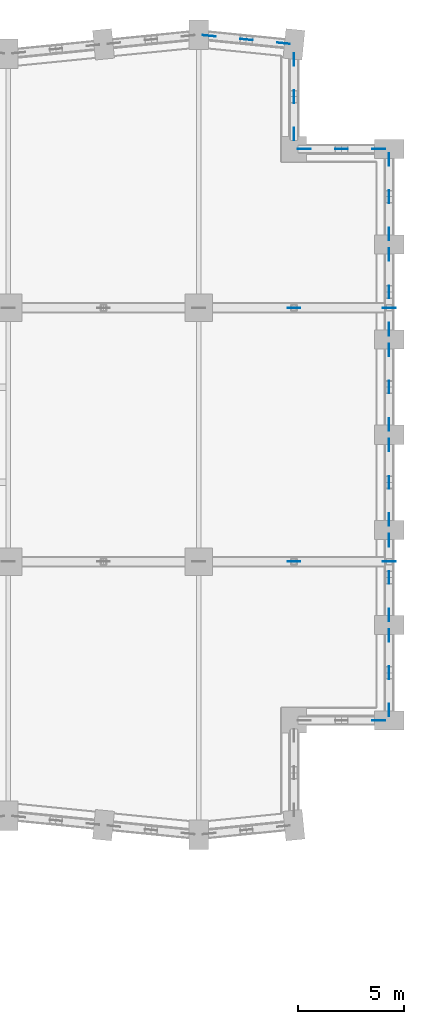
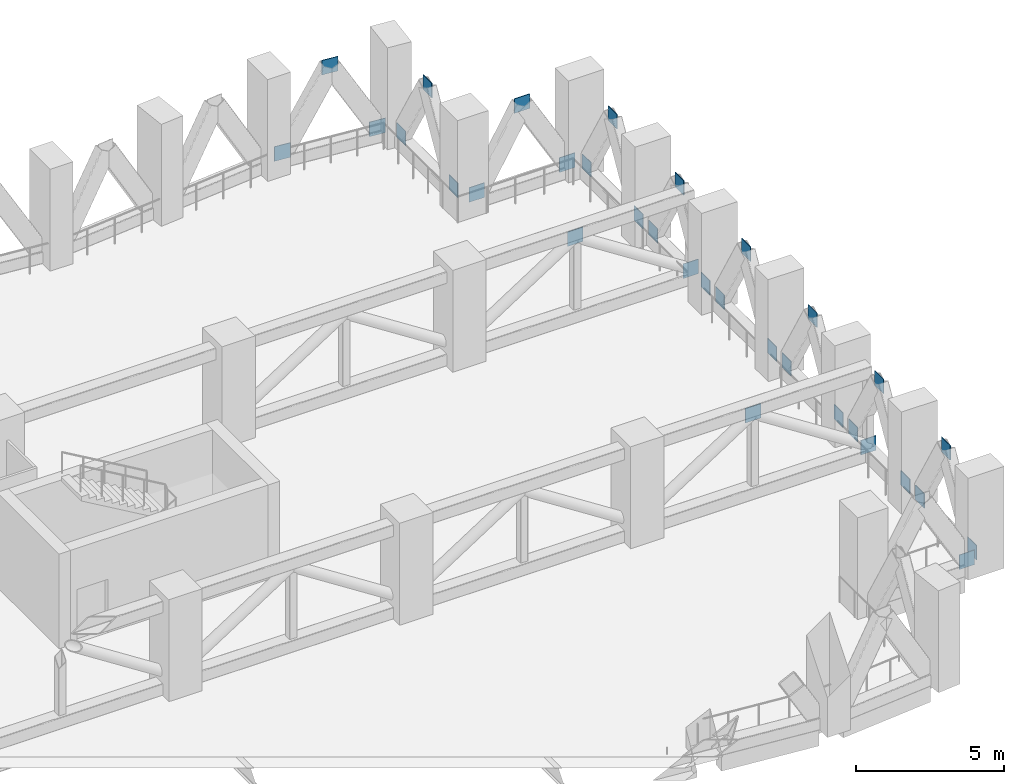
# One storey, part 22 of 25: 32 discrete accessories.
"""IFC4 building model written with IfcOpenShell, lengths in metres."""

from ifc_helpers import new_model, si_unit, direction, frame, origin, origin_2d, place, context, subcontext, project, spatial, rectangle, extrude, material, layer, layer_set, type_object, element, save


model = new_model("IFC4")

# Units and contexts
model_context = context("Model", 3, precision=1e-05, world=origin(), true_north=direction((0.0, 1.0)))
body_context = subcontext(model_context, "Body", "Model", "MODEL_VIEW")
ifc_project = project(units=[si_unit("LENGTHUNIT", "METRE"), si_unit("AREAUNIT", "SQUARE_METRE"), si_unit("VOLUMEUNIT", "CUBIC_METRE"), si_unit("PLANEANGLEUNIT", "RADIAN"), si_unit("MASSUNIT", "GRAM", prefix="KILO")], contexts=[model_context])

# Site, building, storey
site_placement = place(None, origin())
site = spatial("IfcSite", under=ifc_project, at=site_placement, CompositionType="ELEMENT")
building_placement = place(site_placement, origin())
building = spatial("IfcBuilding", under=site, at=building_placement, Name="Brondeck Convention Tower", CompositionType="ELEMENT")
storey_placement = place(building_placement, frame((0.0, 0.0, 84.300048828125)))
storey = spatial("IfcBuildingStorey", under=building, at=storey_placement, Name="L19", CompositionType="ELEMENT", Elevation=84.300048828125)

# Discrete accessories
ifc_material = material(Name="Steel S460", Category="steel")
ifc_layer = layer(ifc_material, 0.02490234375)
ifc_layer_set = layer_set([ifc_layer], Name="Gusset plate 600x600x25 Steel S460")
discrete_accessory_type = type_object("IfcDiscreteAccessoryType", Name="Gusset plate 600x600x25 Steel S460", PredefinedType="BRACKET", material=ifc_layer_set)
for number, where, z_axis, x_axis, name in (
    (1, (71.510986328125, 31.5, 0.199951171875), (0.0, 0.0, 1.0), (1.0, 0.0, 0.0), "Gusset plate GP-199"),
    (2, (72.0, 31.989013671875, 0.199951171875), (0.0, 0.0, 1.0), (0.0, 1.0, 0.0), "Gusset plate GP-200"),
    (3, (72.0, 33.75, 3.25), (0.0, 0.0, 1.0), (0.0, 1.0, 0.0), "Gusset plate GP-201"),
    (4, (72.0, 35.510986328125, 0.199951171875), (0.0, 0.0, 1.0), (0.0, 1.0, 0.0), "Gusset plate GP-202"),
    (5, (72.0, 36.489013671875, 0.199951171875), (0.0, 0.0, 1.0), (0.0, 1.0, 0.0), "Gusset plate GP-203"),
    (6, (72.0, 38.25, 3.25), (0.0, 0.0, 1.0), (0.0, 1.0, 0.0), "Gusset plate GP-204"),
    (7, (72.0, 40.010986328125, 0.199951171875), (0.0, 0.0, 1.0), (0.0, 1.0, 0.0), "Gusset plate GP-205"),
    (8, (72.0, 40.989013671875, 0.199951171875), (0.0, 0.0, 1.0), (0.0, 1.0, 0.0), "Gusset plate GP-206"),
    (9, (72.0, 42.75, 3.25), (0.0, 0.0, 1.0), (0.0, 1.0, 0.0), "Gusset plate GP-207"),
    (10, (72.0, 44.510986328125, 0.199951171875), (0.0, 0.0, 1.0), (0.0, 1.0, 0.0), "Gusset plate GP-208"),
    (11, (72.0, 45.489013671875, 0.199951171875), (0.0, 0.0, 1.0), (0.0, 1.0, 0.0), "Gusset plate GP-209"),
    (12, (72.0, 47.25, 3.25), (0.0, 0.0, 1.0), (0.0, 1.0, 0.0), "Gusset plate GP-210"),
    (13, (72.0, 49.010986328125, 0.199951171875), (0.0, 0.0, 1.0), (0.0, 1.0, 0.0), "Gusset plate GP-211"),
    (14, (72.0, 49.989013671875, 0.199951171875), (0.0, 0.0, 1.0), (0.0, 1.0, 0.0), "Gusset plate GP-212"),
    (15, (72.0, 51.75, 3.25), (0.0, 0.0, 1.0), (0.0, 1.0, 0.0), "Gusset plate GP-213"),
    (16, (72.0, 53.510986328125, 0.199951171875), (0.0, 0.0, 1.0), (0.0, 1.0, 0.0), "Gusset plate GP-214"),
    (17, (72.0, 54.489013671875, 0.199951171875), (0.0, 0.0, 1.0), (0.0, 1.0, 0.0), "Gusset plate GP-215"),
    (18, (72.0, 56.25, 3.25), (0.0, 0.0, 1.0), (0.0, 1.0, 0.0), "Gusset plate GP-216"),
    (19, (72.0, 58.010986328125, 0.199951171875), (0.0, 0.0, 1.0), (0.0, 1.0, 0.0), "Gusset plate GP-217"),
    (20, (71.510986328125, 58.5, 0.199951171875), (0.0, 0.0, 1.0), (1.0, 0.0, 0.0), "Gusset plate GP-218"),
    (21, (69.75, 58.5, 3.25), (0.0, 0.0, 1.0), (1.0, 0.0, 0.0), "Gusset plate GP-219"),
    (22, (67.989013671875, 58.5, 0.199951171875), (0.0, 0.0, 1.0), (1.0, 0.0, 0.0), "Gusset plate GP-220"),
    (23, (67.5, 59.214111328125, 0.199951171875), (0.0, 0.0, 1.0), (0.0, 1.0, 0.0), "Gusset plate GP-221"),
    (24, (67.5, 60.97509765625, 3.25), (0.0, 0.0, 1.0), (0.0, 1.0, 0.0), "Gusset plate GP-222"),
    (25, (67.5, 62.73583984375, 0.199951171875), (0.0, 0.0, 1.0), (0.0, 1.0, 0.0), "Gusset plate GP-223"),
    (26, (67.002197265625, 63.499755859375, 0.199951171875), (0.0, 0.0, 1.0), (-0.9950364836, 0.099510784867, 0.0), "Gusset plate GP-224"),
    (27, (65.25, 63.675048828125, 3.25), (0.0, 0.0, 1.0), (-0.9950364836, 0.099510784867, 0.0), "Gusset plate GP-225"),
    (28, (63.497802734375, 63.85009765625, 0.199951171875), (0.0, 0.0, 1.0), (-0.9950364836, 0.099510784867, 0.0), "Gusset plate GP-226"),
    (29, (67.5, 39.0, 3.099853515625), (0.0, 0.0, 1.0), (1.0, 0.0, 0.0), "Gusset plate GP-321"),
    (30, (72.0, 39.0, 0.199951171875), (0.0, 0.0, 1.0), (1.0, 0.0, 0.0), "Gusset plate GP-322"),
    (31, (67.5, 51.0, 3.099853515625), (0.0, 0.0, 1.0), (1.0, 0.0, 0.0), "Gusset plate GP-326"),
    (32, (72.0, 51.0, 0.199951171875), (0.0, 0.0, 1.0), (1.0, 0.0, 0.0), "Gusset plate GP-327"),
):
    element("IfcDiscreteAccessory", number, at=place(storey_placement, frame(where, z_axis=z_axis, x_axis=x_axis)), inside=storey, type_object=discrete_accessory_type, Name=name, PredefinedType="BRACKET", context=body_context, shape_type="SweptSolid", body=[
        extrude(rectangle(XDim=0.60009765625, YDim=0.02490234375, at=origin_2d()), origin(), (0.0, 0.0, 1.0), 0.60009765625),
    ])

save(model, "model.ifc")
